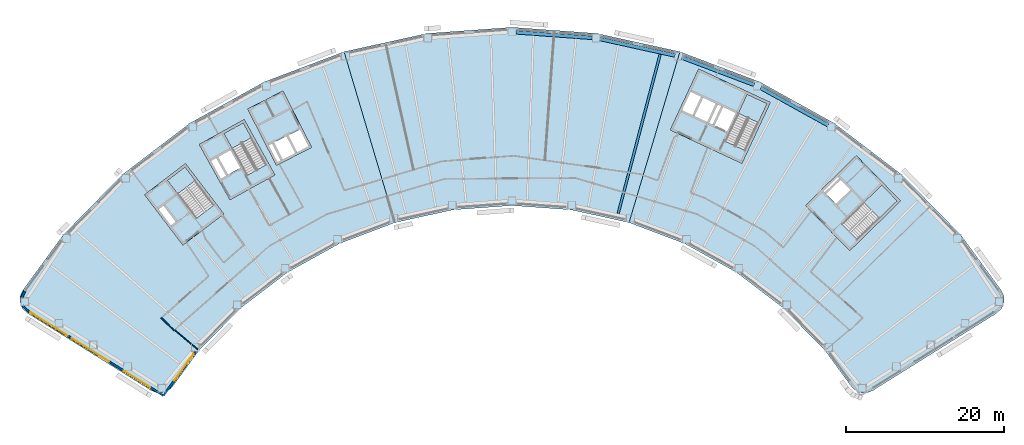
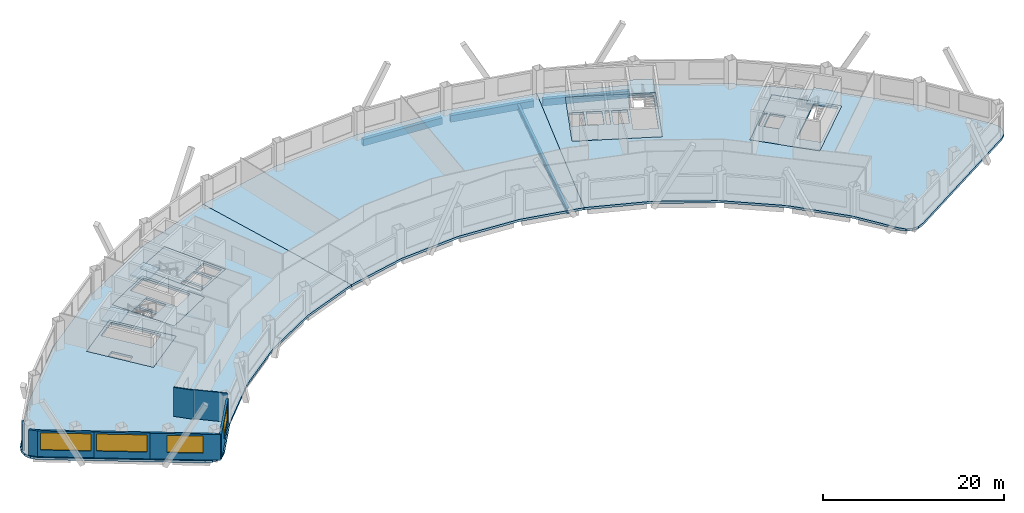
# One storey, part 2 of 11: 12 slabs, 8 walls, 5 beams, 4 windows, 4 openings, 4 elements without a shape of their own.
"""IFC4 building model written with IfcOpenShell, lengths in metres."""

from ifc_helpers import new_model, si_unit, direction, frame, frame_2d, origin, origin_2d, place, context, subcontext, project, spatial, polyline, rectangle, hollow_rectangle, i_section, outline, extrude, material, layer, layer_set, material_profile, profile_set, type_object, element, fill, aggregate, save


model = new_model("IFC4")

# Units and contexts
model_context = context("Model", 3, precision=1e-05, world=origin(), true_north=direction((0.0, 1.0)))
body_context = subcontext(model_context, "Body", "Model", "MODEL_VIEW")
ifc_project = project(units=[si_unit("LENGTHUNIT", "METRE"), si_unit("AREAUNIT", "SQUARE_METRE"), si_unit("VOLUMEUNIT", "CUBIC_METRE"), si_unit("PLANEANGLEUNIT", "RADIAN"), si_unit("MASSUNIT", "GRAM", prefix="KILO")], contexts=[model_context])

# Site, building, storey
site_placement = place(None, origin())
site = spatial("IfcSite", under=ifc_project, at=site_placement, CompositionType="ELEMENT")
building_placement = place(site_placement, origin())
building = spatial("IfcBuilding", under=site, at=building_placement, Name="Tuul Gate Civic Tower", CompositionType="ELEMENT")
storey_placement = place(building_placement, frame((0.0, 0.0, 146.60009765625)))
storey = spatial("IfcBuildingStorey", under=building, at=storey_placement, Name="Level 33", CompositionType="ELEMENT", Elevation=146.60009765625)

# Beams
ifc_material_1 = material(Name="Steel S355", Category="steel")
ifc_material_profile_1 = material_profile(ifc_material_1, i_section(OverallWidth=0.300048828125, OverallDepth=0.800048828125, WebThickness=0.013916015625, FlangeThickness=0.02490234375, at=origin_2d()), Name="PG800x300x14x25")
ifc_profile_set_1 = profile_set([ifc_material_profile_1], Name="Steel S355")
beam_type_1 = type_object("IfcBeamType", Name="STR-FLOOR BEAM-PG800x300x14x25", PredefinedType="BEAM", material=ifc_profile_set_1)
beam_1_placement = place(storey_placement, frame((18.8125, -13.7099609375, -0.7001953125), z_axis=(0.255004720301, 0.96693980817, 0.0), x_axis=(-0.96693980817, 0.255004720301, 0.0)))
element("IfcBeam", 1, at=beam_1_placement, inside=storey, type_object=beam_type_1, Name="Floor beam", PredefinedType="BEAM", context=body_context, shape_type="SweptSolid", body=[
    extrude(i_section(OverallWidth=0.300048828125, OverallDepth=0.800048828125, WebThickness=0.013916015625, FlangeThickness=0.02490234375, at=origin_2d()), origin(), (0.0, 0.0, 1.0), 20.817626953125),
])
ifc_material_2 = material(Name="Steel S355", Category="steel")
ifc_material_profile_2 = material_profile(ifc_material_2, hollow_rectangle(XDim=0.449951171875, YDim=0.89990234375, WallThickness=0.02490234375, at=origin_2d()), Name="BOX900x450x25")
ifc_profile_set_2 = profile_set([ifc_material_profile_2], Name="Steel S355")
beam_type_2 = type_object("IfcBeamType", Name="STR-SPANDREL BEAM-BOX900x450x25", PredefinedType="BEAM", material=ifc_profile_set_2)
beam_2_placement = place(storey_placement, frame((45.338623046875, -2.548583984375, -0.75), z_axis=(-0.874626955885, 0.484796542933, 0.0), x_axis=(-0.484796542933, -0.874626955885, 0.0)))
element("IfcBeam", 2, at=beam_2_placement, inside=storey, type_object=beam_type_2, Name="Spandrel beam", PredefinedType="BEAM", context=body_context, shape_type="SweptSolid", body=[
    extrude(hollow_rectangle(XDim=0.449951171875, YDim=0.89990234375, WallThickness=0.02490234375, at=origin_2d()), origin(), (0.0, 0.0, 1.0), 9.676513671875),
])
beam_3_placement = place(storey_placement, frame((35.97021484375, 2.561767578125, -0.75), z_axis=(-0.935339508416, 0.353751330735, 0.0), x_axis=(-0.353751330735, -0.935339508416, 0.0)))
element("IfcBeam", 3, at=beam_3_placement, inside=storey, type_object=beam_type_2, Name="Spandrel beam", PredefinedType="BEAM", context=body_context, shape_type="SweptSolid", body=[
    extrude(hollow_rectangle(XDim=0.449951171875, YDim=0.89990234375, WallThickness=0.02490234375, at=origin_2d()), origin(), (0.0, 0.0, 1.0), 9.67724609375),
])
beam_4_placement = place(storey_placement, frame((25.962646484375, 6.26953125, -0.75), z_axis=(-0.976569557508, 0.215201996619, 0.0), x_axis=(-0.215201996619, -0.976569557508, 0.0)))
element("IfcBeam", 4, at=beam_4_placement, inside=storey, type_object=beam_type_2, Name="Spandrel beam", PredefinedType="BEAM", context=body_context, shape_type="SweptSolid", body=[
    extrude(hollow_rectangle(XDim=0.449951171875, YDim=0.89990234375, WallThickness=0.02490234375, at=origin_2d()), origin(), (0.0, 0.0, 1.0), 9.67822265625),
])
beam_5_placement = place(storey_placement, frame((15.5244140625, 8.49609375, -0.75), z_axis=(-0.997382449667, 0.072306632453, 0.0), x_axis=(-0.072306632453, -0.997382449667, 0.0)))
element("IfcBeam", 5, at=beam_5_placement, inside=storey, type_object=beam_type_2, Name="Spandrel beam", PredefinedType="BEAM", context=body_context, shape_type="SweptSolid", body=[
    extrude(hollow_rectangle(XDim=0.449951171875, YDim=0.89990234375, WallThickness=0.02490234375, at=origin_2d()), origin(), (0.0, 0.0, 1.0), 9.677001953125),
])

# Slabs
ifc_material_3 = material(Name="Concrete C40/50", Category="concrete")
ifc_layer_1 = layer(ifc_material_3, 0.300048828125)
ifc_layer_set_1 = layer_set([ifc_layer_1], Name="Concrete C40/50")
slab_type_1 = type_object("IfcSlabType", Name="Core floor slab 300", PredefinedType="FLOOR", material=ifc_layer_set_1)
slab_1_placement = place(storey_placement, frame((0.0, 0.0, -0.300048828125)))
element("IfcSlab", 6, at=slab_1_placement, inside=storey, type_object=slab_type_1, Name="FLOOR SLAB", PredefinedType="FLOOR", context=body_context, shape_type="SweptSolid", body=[
    extrude(outline(polyline([(-31.10009765625, -13.7890625), (-35.946044921875, -7.423828125), (-41.11767578125, -11.361572265625), (-36.271484375, -17.726806640625), (-31.10009765625, -13.7890625)]), holes=[polyline([(-37.19287109375, -14.783203125), (-38.737548828125, -12.75439453125), (-39.45361328125, -13.299560546875), (-37.908935546875, -15.328369140625), (-37.19287109375, -14.783203125)]), polyline([(-32.33935546875, -12.65771484375), (-34.56591796875, -14.352783203125), (-38.229736328125, -9.54052734375), (-36.003173828125, -7.845458984375), (-32.33935546875, -12.65771484375)])]), origin(), (0.0, 0.0, 1.0), 0.300048828125),
])
slab_2_placement = place(storey_placement, frame((0.0, 0.0, -0.300048828125)))
element("IfcSlab", 7, at=slab_2_placement, inside=storey, type_object=slab_type_1, Name="FLOOR SLAB", PredefinedType="FLOOR", context=body_context, shape_type="SweptSolid", body=[
    extrude(outline(polyline([(-24.638916015625, -8.846923828125), (-28.51708984375, -1.849853515625), (-34.2021484375, -5.0009765625), (-30.32421875, -11.998046875), (-24.638916015625, -8.846923828125)]), holes=[polyline([(-29.0185546875, -7.958740234375), (-30.254638671875, -5.728515625), (-31.785400390625, -6.576904296875), (-30.54931640625, -8.80712890625), (-29.0185546875, -7.958740234375)]), polyline([(-30.8115234375, -8.95263671875), (-32.047607421875, -6.72216796875), (-32.8349609375, -7.158447265625), (-31.5986328125, -9.388916015625), (-30.8115234375, -8.95263671875)]), polyline([(-25.702392578125, -7.548828125), (-28.14990234375, -8.905517578125), (-31.08203125, -3.615234375), (-28.63427734375, -2.2587890625), (-25.702392578125, -7.548828125)])]), origin(), (0.0, 0.0, 1.0), 0.300048828125),
])
slab_3_placement = place(storey_placement, frame((0.0, 0.0, -0.300048828125)))
element("IfcSlab", 8, at=slab_3_placement, inside=storey, type_object=slab_type_1, Name="FLOOR SLAB", PredefinedType="FLOOR", context=body_context, shape_type="SweptSolid", body=[
    extrude(outline(polyline([(48.117919921875, -18.43310546875), (54.545166015625, -12.1328125), (48.945068359375, -6.419921875), (42.517822265625, -12.719970703125), (48.117919921875, -18.43310546875)]), holes=[polyline([(46.373779296875, -12.510986328125), (48.19482421875, -10.725830078125), (46.969970703125, -9.47607421875), (45.14892578125, -11.26123046875), (46.373779296875, -12.510986328125)]), polyline([(44.93896484375, -11.046875), (46.760009765625, -9.261962890625), (46.514892578125, -9.011962890625), (44.69384765625, -10.797119140625), (44.93896484375, -11.046875)]), polyline([(49.086181640625, -17.062744140625), (47.12744140625, -15.064208984375), (52.160888671875, -10.130126953125), (54.11962890625, -12.128662109375), (49.086181640625, -17.062744140625)])]), origin(), (0.0, 0.0, 1.0), 0.300048828125),
])
slab_4_placement = place(storey_placement, frame((0.0, 0.0, -0.300048828125)))
element("IfcSlab", 9, at=slab_4_placement, inside=storey, type_object=slab_type_1, Name="FLOOR SLAB", PredefinedType="FLOOR", context=body_context, shape_type="SweptSolid", body=[
    extrude(outline(polyline([(34.465087890625, -7.385986328125), (38.056884765625, 0.31787109375), (28.993896484375, 4.543701171875), (25.40185546875, -3.159912109375), (34.465087890625, -7.385986328125)]), holes=[polyline([(32.60888671875, -3.32080078125), (33.6865234375, -1.009765625), (32.1005859375, -0.27001953125), (31.02294921875, -2.581298828125), (32.60888671875, -3.32080078125)]), polyline([(30.0712890625, -2.137451171875), (31.14892578125, 0.173583984375), (29.562744140625, 0.9130859375), (28.4853515625, -1.39794921875), (30.0712890625, -2.137451171875)]), polyline([(30.751220703125, -2.454345703125), (31.82861328125, -0.143310546875), (31.4208984375, 0.046875), (30.34326171875, -2.264404296875), (30.751220703125, -2.454345703125)]), polyline([(28.21337890625, -1.27099609375), (29.291015625, 1.0400390625), (27.8408203125, 1.71630859375), (26.76318359375, -0.594970703125), (28.21337890625, -1.27099609375)]), polyline([(34.889892578125, -5.7626953125), (32.353759765625, -4.580078125), (35.120849609375, 1.354736328125), (37.6572265625, 0.17236328125), (34.889892578125, -5.7626953125)])]), origin(), (0.0, 0.0, 1.0), 0.300048828125),
])
ifc_material_4 = material(Name="Concrete C40/50", Category="concrete")
ifc_layer_2 = layer(ifc_material_4, 0.300048828125)
ifc_layer_set_2 = layer_set([ifc_layer_2], Name="Concrete C40/50")
slab_type_2 = type_object("IfcSlabType", Name="Core floor slab 300 non-bearing", PredefinedType="FLOOR", material=ifc_layer_set_2)
slab_5_placement = place(storey_placement, frame((0.0, 0.0, -0.300048828125)))
element("IfcSlab", 10, at=slab_5_placement, inside=storey, type_object=slab_type_2, Name="FLOOR SLAB", PredefinedType="FLOOR", context=body_context, shape_type="SweptSolid", body=[
    extrude(outline(polyline([(-19.98095703125, -5.365966796875), (-23.613037109375, 1.761962890625), (-28.068115234375, -0.508056640625), (-24.43603515625, -7.635986328125), (-19.98095703125, -5.365966796875)]), holes=[polyline([(-20.384521484375, -5.23486328125), (-21.47412109375, -3.096435546875), (-22.899658203125, -3.822998046875), (-21.81005859375, -5.961181640625), (-20.384521484375, -5.23486328125)]), polyline([(-22.077392578125, -6.097412109375), (-23.1669921875, -3.958984375), (-24.726318359375, -4.753662109375), (-23.63671875, -6.89208984375), (-22.077392578125, -6.097412109375)]), polyline([(-23.8359375, -7.161865234375), (-24.99365234375, -4.889892578125), (-25.5283203125, -5.162109375), (-24.37060546875, -7.434326171875), (-23.8359375, -7.161865234375)])]), origin(), (0.0, 0.0, 1.0), 0.300048828125),
])

# Stair, slab
ifc_material_5 = material(Name="Concrete C40/50", Category="concrete")
stair_type = type_object("IfcStairType", Name="Exit stair", PredefinedType="HALF_TURN_STAIR", material=ifc_material_5)
stair_1_placement = place(storey_placement, origin())
stair_1 = element("IfcStair", 11, at=stair_1_placement, inside=storey, type_object=stair_type, Name="Level 33 ST-1", PredefinedType="HALF_TURN_STAIR")
ifc_material_6 = material(Name="Concrete C40/50", Category="concrete")
ifc_layer_3 = layer(ifc_material_6, 0.199951171875)
ifc_layer_set_3 = layer_set([ifc_layer_3], Name="Concrete C40/50")
slab_type_3 = type_object("IfcSlabType", Name="Exit stair landing", PredefinedType="LANDING", material=ifc_layer_set_3)
slab_6_placement = place(storey_placement, frame((0.0, 0.0, 1.89990234375)))
slab_6 = element("IfcSlab", 12, at=slab_6_placement, type_object=slab_type_3, Name="ST-1 landing 1", PredefinedType="LANDING", context=body_context, shape_type="SweptSolid", body=[
    extrude(outline(polyline([(-34.699462890625, -9.554931640625), (-36.9287109375, -11.252197265625), (-38.23193359375, -9.540283203125), (-36.0029296875, -7.843017578125), (-34.699462890625, -9.554931640625)])), origin(), (0.0, 0.0, 1.0), 0.199951171875),
])
aggregate(stair_1, [slab_6])

stair_2_placement = place(storey_placement, origin())
stair_2 = element("IfcStair", 13, at=stair_2_placement, inside=storey, type_object=stair_type, Name="Level 33 ST-2", PredefinedType="HALF_TURN_STAIR")
slab_7_placement = place(storey_placement, frame((0.0, 0.0, 1.89990234375)))
slab_7 = element("IfcSlab", 14, at=slab_7_placement, type_object=slab_type_3, Name="ST-2 landing 1", PredefinedType="LANDING", context=body_context, shape_type="SweptSolid", body=[
    extrude(outline(polyline([(-27.5908203125, -4.138427734375), (-30.041015625, -5.49658203125), (-31.084228515625, -3.61474609375), (-28.6337890625, -2.256591796875), (-27.5908203125, -4.138427734375)])), origin(), (0.0, 0.0, 1.0), 0.199951171875),
])
aggregate(stair_2, [slab_7])

stair_3_placement = place(storey_placement, origin())
stair_3 = element("IfcStair", 15, at=stair_3_placement, inside=storey, type_object=stair_type, Name="Level 33 ST-3", PredefinedType="HALF_TURN_STAIR")
slab_8_placement = place(storey_placement, frame((0.0, 0.0, 1.89990234375)))
slab_8 = element("IfcSlab", 16, at=slab_8_placement, type_object=slab_type_3, Name="ST-3 landing 1", PredefinedType="LANDING", context=body_context, shape_type="SweptSolid", body=[
    extrude(outline(polyline([(51.871337890625, -14.3349609375), (49.91015625, -12.334228515625), (52.160888671875, -10.1279296875), (54.1220703125, -12.128662109375), (51.871337890625, -14.3349609375)])), origin(), (0.0, 0.0, 1.0), 0.199951171875),
])
aggregate(stair_3, [slab_8])

stair_4_placement = place(storey_placement, origin())
stair_4 = element("IfcStair", 17, at=stair_4_placement, inside=storey, type_object=stair_type, Name="Level 33 ST-4", PredefinedType="HALF_TURN_STAIR")
slab_9_placement = place(storey_placement, frame((0.0, 0.0, 1.89990234375)))
slab_9 = element("IfcSlab", 18, at=slab_9_placement, type_object=slab_type_3, Name="ST-4 landing 1", PredefinedType="LANDING", context=body_context, shape_type="SweptSolid", body=[
    extrude(outline(polyline([(36.538818359375, -2.230224609375), (33.999755859375, -1.046142578125), (35.1201171875, 1.35693359375), (37.659423828125, 0.173095703125), (36.538818359375, -2.230224609375)])), origin(), (0.0, 0.0, 1.0), 0.199951171875),
])
aggregate(stair_4, [slab_9])

# Slabs
ifc_material_7 = material(Name="Concrete C35/45", Category="concrete")
ifc_layer_4 = layer(ifc_material_7, 0.300048828125)
ifc_layer_set_4 = layer_set([ifc_layer_4], Name="Concrete C35/45")
slab_type_4 = type_object("IfcSlabType", Name="STR-FLOOR-SLAB-300", PredefinedType="FLOOR", material=ifc_layer_set_4)
slab_10_placement = place(storey_placement, frame((0.0, 0.0, -0.300048828125)))
element("IfcSlab", 19, at=slab_10_placement, inside=storey, type_object=slab_type_4, Name="Level 33/slab/W", PredefinedType="FLOOR", context=body_context, shape_type="SweptSolid", body=[
    extrude(outline(polyline([(-16.4599609375, -17.5380859375), (-9.43994140625, -14.883056640625), (-15.8740234375, 6.739013671875), (-25.943115234375, 2.930908203125), (-35.35693359375, -2.287109375), (-43.922119140625, -8.80810546875), (-51.45703125, -16.4951171875), (-56.537109375, -23.451904296875), (-56.8740234375, -24.195068359375), (-56.885986328125, -25.010009765625), (-56.571044921875, -25.762939453125), (-55.98193359375, -26.326904296875), (-40.251953125, -36.156005859375), (-39.55810546875, -36.427001953125), (-38.81298828125, -36.424072265625), (-38.12109375, -36.14892578125), (-37.576904296875, -35.639892578125), (-34.248046875, -31.08203125), (-28.9951171875, -25.721923828125), (-23.02392578125, -21.176025390625), (-16.4599609375, -17.5380859375)]), holes=[polyline([(-31.10009765625, -13.7890625), (-36.27197265625, -17.72705078125), (-41.117919921875, -11.362060546875), (-35.946044921875, -7.424072265625), (-31.10009765625, -13.7890625)]), polyline([(-24.638916015625, -8.846923828125), (-30.323974609375, -11.998046875), (-34.201904296875, -5.0009765625), (-28.51708984375, -1.85009765625), (-24.638916015625, -8.846923828125)]), polyline([(-24.43603515625, -7.635986328125), (-28.068115234375, -0.508056640625), (-23.613037109375, 1.761962890625), (-19.98095703125, -5.365966796875), (-24.43603515625, -7.635986328125)])]), origin(), (0.0, 0.0, 1.0), 0.300048828125),
])
slab_11_placement = place(storey_placement, frame((0.0, 0.0, -0.300048828125)))
element("IfcSlab", 20, at=slab_11_placement, inside=storey, type_object=slab_type_4, Name="Level 33/slab/M", PredefinedType="FLOOR", context=body_context, shape_type="SweptSolid", body=[
    extrude(outline(polyline([(20.18798828125, -14.883056640625), (26.6220703125, 6.739013671875), (16.110107421875, 9.054931640625), (5.3740234375, 9.8330078125), (-5.362060546875, 9.054931640625), (-15.8740234375, 6.739013671875), (-9.43994140625, -14.883056640625), (-2.111083984375, -13.26806640625), (5.3740234375, -12.72607421875), (12.85888671875, -13.26806640625), (20.18798828125, -14.883056640625)])), origin(), (0.0, 0.0, 1.0), 0.300048828125),
])
slab_12_placement = place(storey_placement, frame((0.0, 0.0, -0.300048828125)))
element("IfcSlab", 21, at=slab_12_placement, inside=storey, type_object=slab_type_4, Name="Level 33/slab/E", PredefinedType="FLOOR", context=body_context, shape_type="SweptSolid", body=[
    extrude(outline(polyline([(50.305908203125, -36.427001953125), (51.0, -36.156005859375), (66.72998046875, -26.326904296875), (67.319091796875, -25.762939453125), (67.634033203125, -25.010009765625), (67.6220703125, -24.195068359375), (67.284912109375, -23.451904296875), (62.205078125, -16.4951171875), (54.669921875, -8.80810546875), (46.10498046875, -2.287109375), (36.69091796875, 2.930908203125), (26.6220703125, 6.739013671875), (20.18798828125, -14.883056640625), (27.2080078125, -17.5380859375), (33.77197265625, -21.176025390625), (39.742919921875, -25.721923828125), (44.99609375, -31.08203125), (48.324951171875, -35.639892578125), (48.868896484375, -36.14892578125), (49.56103515625, -36.424072265625), (50.305908203125, -36.427001953125)]), holes=[polyline([(48.117919921875, -18.43310546875), (42.51806640625, -12.719970703125), (48.945068359375, -6.419921875), (54.544921875, -12.133056640625), (48.117919921875, -18.43310546875)]), polyline([(25.402099609375, -3.159912109375), (28.993896484375, 4.5439453125), (38.056884765625, 0.318115234375), (34.465087890625, -7.385986328125), (25.402099609375, -3.159912109375)])]), origin(), (0.0, 0.0, 1.0), 0.300048828125),
])

# Walls
ifc_material_8 = material(Name="Gypsum board partition")
ifc_layer_5 = layer(ifc_material_8, 0.14990234375)
ifc_layer_set_5 = layer_set([ifc_layer_5], Name="Gypsum board partition")
wall_type_1 = type_object("IfcWallType", Name="Corridor wall P150", PredefinedType="PARTITIONING", material=ifc_layer_set_5)
wall_1_placement = place(storey_placement, frame((-39.0068359375, -26.9365234375, 0.0), z_axis=(0.0, 0.0, 1.0), x_axis=(0.711649081693, -0.702535112664, 0.0)))
element("IfcWall", 22, at=wall_1_placement, inside=storey, type_object=wall_type_1, Name="p034", PredefinedType="PARTITIONING", context=body_context, shape_type="SweptSolid", body=[
    extrude(rectangle(XDim=2.250244140625, YDim=0.14990234375, at=frame_2d((1.125, 0.0))), origin(), (0.0, 0.0, 1.0), 3.89990234375),
])
ifc_material_9 = material(Name="Precast concrete C40/50", Category="concrete")
ifc_layer_6 = layer(ifc_material_9, 0.25)
ifc_layer_set_6 = layer_set([ifc_layer_6], Name="Precast concrete C40/50")
wall_type_2 = type_object("IfcWallType", Name="External wall", PredefinedType="STANDARD", material=ifc_layer_set_6)
wall_2_placement = place(storey_placement, frame((-56.30224609375, -23.591796875, 0.0), z_axis=(0.0, 0.0, 1.0), x_axis=(-0.41355333093, -0.9104798968, 0.0)))
element("IfcWall", 23, at=wall_2_placement, inside=storey, type_object=wall_type_2, Name="External wall", PredefinedType="STANDARD", context=body_context, shape_type="SweptSolid", body=[
    extrude(rectangle(XDim=0.88427734375, YDim=0.25, at=frame_2d((0.442138671875, 0.0))), origin(), (0.0, 0.0, 1.0), 3.449951171875),
])
wall_3_placement = place(storey_placement, frame((-56.560546875, -25.39697265625, 0.0), z_axis=(0.0, 0.0, 1.0), x_axis=(0.722111514746, -0.691776669361, 0.0)))
element("IfcWall", 24, at=wall_3_placement, inside=storey, type_object=wall_type_2, Name="External wall", PredefinedType="STANDARD", context=body_context, shape_type="SweptSolid", body=[
    extrude(rectangle(XDim=1.0302734375, YDim=0.25, at=frame_2d((0.51513671875, 0.0))), origin(), (0.0, 0.0, 1.0), 3.449951171875),
])

# Wall, opening, window
wall_4_placement = place(storey_placement, frame((-55.836669921875, -26.093994140625, 0.0), z_axis=(0.0, 0.0, 1.0), x_axis=(0.848042669488, -0.529927948619, 0.0)))
wall_4 = element("IfcWall", 25, at=wall_4_placement, inside=storey, type_object=wall_type_2, Name="External wall", PredefinedType="STANDARD", context=body_context, shape_type="SweptSolid", body=[
    extrude(rectangle(XDim=6.1826171875, YDim=0.25, at=frame_2d((3.09130859375, 0.0))), origin(), (0.0, 0.0, 1.0), 3.449951171875),
])
opening_1_placement = place(wall_4_placement, frame((0.31640625, 0.0, 0.89990234375)))
opening_1 = element("IfcOpeningElement", 26, at=opening_1_placement, cuts=wall_4, Name="Opening W24", PredefinedType="OPENING", context=body_context, shape_type="SweptSolid", body=[
    extrude(rectangle(XDim=5.550048828125, YDim=2.300048828125, at=frame_2d((2.77490234375, 1.14990234375))), frame((0.0, 0.135009765625, 0.0), z_axis=(0.0, -1.0, 0.0), x_axis=(1.0, 0.0, 0.0)), (0.0, 0.0, 1.0), 0.27001953125),
])
ifc_material_10 = material(Name="Glass", Category="glass")
window_type_1 = type_object("IfcWindowType", Name="Window W24 5550 x 2300", PartitioningType="SINGLE_PANEL", PredefinedType="WINDOW", material=ifc_material_10)
window_1_placement = place(opening_1_placement, origin())
window_1 = element("IfcWindow", 27, at=window_1_placement, inside=storey, type_object=window_type_1, Name="Window", OverallHeight=2.300048828125, OverallWidth=5.550048828125, PartitioningType="SINGLE_PANEL", PredefinedType="WINDOW", context=body_context, shape_type="SweptSolid", body=[
    extrude(rectangle(XDim=5.550048828125, YDim=2.300048828125, at=frame_2d((2.77490234375, 1.14990234375))), frame((0.0, 0.030029296875, 0.0), z_axis=(0.0, -1.0, 0.0), x_axis=(1.0, 0.0, 0.0)), (0.0, 0.0, 1.0), 0.06005859375),
])
fill(opening_1, window_1)

wall_5_placement = place(storey_placement, frame((-50.593505859375, -29.370361328125, 0.0), z_axis=(0.0, 0.0, 1.0), x_axis=(0.848053758074, -0.529910203164, 0.0)))
wall_5 = element("IfcWall", 28, at=wall_5_placement, inside=storey, type_object=wall_type_2, Name="External wall", PredefinedType="STANDARD", context=body_context, shape_type="SweptSolid", body=[
    extrude(rectangle(XDim=6.182861328125, YDim=0.25, at=frame_2d((3.09130859375, 0.0))), origin(), (0.0, 0.0, 1.0), 3.449951171875),
])
opening_2_placement = place(wall_5_placement, frame((0.31640625, 0.0, 0.89990234375)))
opening_2 = element("IfcOpeningElement", 29, at=opening_2_placement, cuts=wall_5, Name="Opening W24", PredefinedType="OPENING", context=body_context, shape_type="SweptSolid", body=[
    extrude(rectangle(XDim=5.550048828125, YDim=2.300048828125, at=frame_2d((2.77490234375, 1.14990234375))), frame((0.0, 0.135009765625, 0.0), z_axis=(0.0, -1.0, 0.0), x_axis=(1.0, 0.0, 0.0)), (0.0, 0.0, 1.0), 0.27001953125),
])
window_2_placement = place(opening_2_placement, origin())
window_2 = element("IfcWindow", 30, at=window_2_placement, inside=storey, type_object=window_type_1, Name="Window", OverallHeight=2.300048828125, OverallWidth=5.550048828125, PartitioningType="SINGLE_PANEL", PredefinedType="WINDOW", context=body_context, shape_type="SweptSolid", body=[
    extrude(rectangle(XDim=5.550048828125, YDim=2.300048828125, at=frame_2d((2.77490234375, 1.14990234375))), frame((0.0, 0.030029296875, 0.0), z_axis=(0.0, -1.0, 0.0), x_axis=(1.0, 0.0, 0.0)), (0.0, 0.0, 1.0), 0.06005859375),
])
fill(opening_2, window_2)

wall_6_placement = place(storey_placement, frame((-45.35009765625, -32.646728515625, 0.0), z_axis=(0.0, 0.0, 1.0), x_axis=(0.848051131154, -0.529914407191, 0.0)))
wall_6 = element("IfcWall", 31, at=wall_6_placement, inside=storey, type_object=wall_type_2, Name="External wall", PredefinedType="STANDARD", context=body_context, shape_type="SweptSolid", body=[
    extrude(rectangle(XDim=7.788330078125, YDim=0.25, at=frame_2d((3.89404296875, 0.0))), origin(), (0.0, 0.0, 1.0), 3.449951171875),
])
opening_3_placement = place(wall_6_placement, frame((1.89697265625, 0.0, 0.89990234375)))
opening_3 = element("IfcOpeningElement", 32, at=opening_3_placement, cuts=wall_6, Name="Opening W113", PredefinedType="OPENING", context=body_context, shape_type="SweptSolid", body=[
    extrude(rectangle(XDim=3.949951171875, YDim=2.300048828125, at=frame_2d((1.97509765625, 1.14990234375))), frame((0.0, 0.135009765625, 0.0), z_axis=(0.0, -1.0, 0.0), x_axis=(1.0, 0.0, 0.0)), (0.0, 0.0, 1.0), 0.27001953125),
])
ifc_material_11 = material(Name="Glass", Category="glass")
window_type_2 = type_object("IfcWindowType", Name="Window W113 3950 x 2300", PartitioningType="SINGLE_PANEL", PredefinedType="WINDOW", material=ifc_material_11)
window_3_placement = place(opening_3_placement, origin())
window_3 = element("IfcWindow", 33, at=window_3_placement, inside=storey, type_object=window_type_2, Name="Window", OverallHeight=2.300048828125, OverallWidth=3.949951171875, PartitioningType="SINGLE_PANEL", PredefinedType="WINDOW", context=body_context, shape_type="SweptSolid", body=[
    extrude(rectangle(XDim=3.949951171875, YDim=2.300048828125, at=frame_2d((1.97509765625, 1.14990234375))), frame((0.0, 0.030029296875, 0.0), z_axis=(0.0, -1.0, 0.0), x_axis=(1.0, 0.0, 0.0)), (0.0, 0.0, 1.0), 0.06005859375),
])
fill(opening_3, window_3)

wall_7_placement = place(storey_placement, frame((-38.7451171875, -36.77392578125, 0.0), z_axis=(0.0, 0.0, 1.0), x_axis=(0.589748164831, 0.8075872102, 0.0)))
wall_7 = element("IfcWall", 34, at=wall_7_placement, inside=storey, type_object=wall_type_2, Name="External wall", PredefinedType="STANDARD", context=body_context, shape_type="SweptSolid", body=[
    extrude(rectangle(XDim=6.910400390625, YDim=0.25, at=frame_2d((3.455078125, 0.0))), origin(), (0.0, 0.0, 1.0), 3.449951171875),
])
opening_4_placement = place(wall_7_placement, frame((2.356689453125, 0.0, 0.89990234375)))
opening_4 = element("IfcOpeningElement", 35, at=opening_4_placement, cuts=wall_7, Name="Opening W25", PredefinedType="OPENING", context=body_context, shape_type="SweptSolid", body=[
    extrude(rectangle(XDim=4.14990234375, YDim=2.300048828125, at=frame_2d((2.074951171875, 1.14990234375))), frame((0.0, 0.135009765625, 0.0), z_axis=(0.0, -1.0, 0.0), x_axis=(1.0, 0.0, 0.0)), (0.0, 0.0, 1.0), 0.27001953125),
])
ifc_material_12 = material(Name="Glass", Category="glass")
window_type_3 = type_object("IfcWindowType", Name="Window W25 4150 x 2300", PartitioningType="SINGLE_PANEL", PredefinedType="WINDOW", material=ifc_material_12)
window_4_placement = place(opening_4_placement, origin())
window_4 = element("IfcWindow", 36, at=window_4_placement, inside=storey, type_object=window_type_3, Name="Window", OverallHeight=2.300048828125, OverallWidth=4.14990234375, PartitioningType="SINGLE_PANEL", PredefinedType="WINDOW", context=body_context, shape_type="SweptSolid", body=[
    extrude(rectangle(XDim=4.14990234375, YDim=2.300048828125, at=frame_2d((2.074951171875, 1.14990234375))), frame((0.0, 0.030029296875, 0.0), z_axis=(0.0, -1.0, 0.0), x_axis=(1.0, 0.0, 0.0)), (0.0, 0.0, 1.0), 0.06005859375),
])
fill(opening_4, window_4)

# Wall
ifc_material_13 = material(Name="Gypsum board partition")
ifc_layer_7 = layer(ifc_material_13, 0.10009765625)
ifc_layer_set_7 = layer_set([ifc_layer_7], Name="Gypsum board partition")
wall_type_3 = type_object("IfcWallType", Name="Partition P100", PredefinedType="PARTITIONING", material=ifc_layer_set_7)
wall_8_placement = place(storey_placement, frame((-37.341064453125, -28.460205078125, 0.0), z_axis=(0.0, 0.0, 1.0), x_axis=(0.762815767744, -0.646615886351, 0.0)))
element("IfcWall", 37, at=wall_8_placement, inside=storey, type_object=wall_type_3, Name="p028", PredefinedType="PARTITIONING", context=body_context, shape_type="SweptSolid", body=[
    extrude(rectangle(XDim=3.783935546875, YDim=0.10009765625, at=frame_2d((1.89208984375, 0.0))), origin(), (0.0, 0.0, 1.0), 3.89990234375),
])

save(model, "model.ifc")
